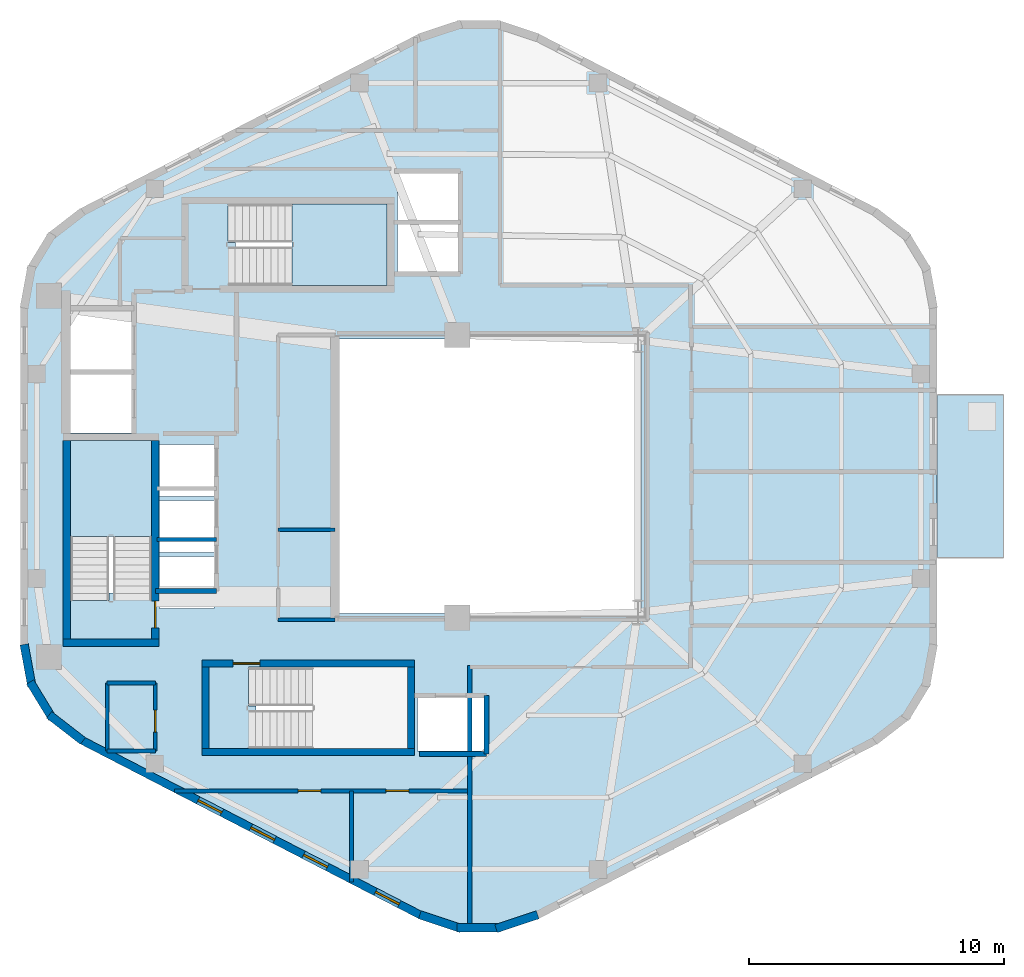
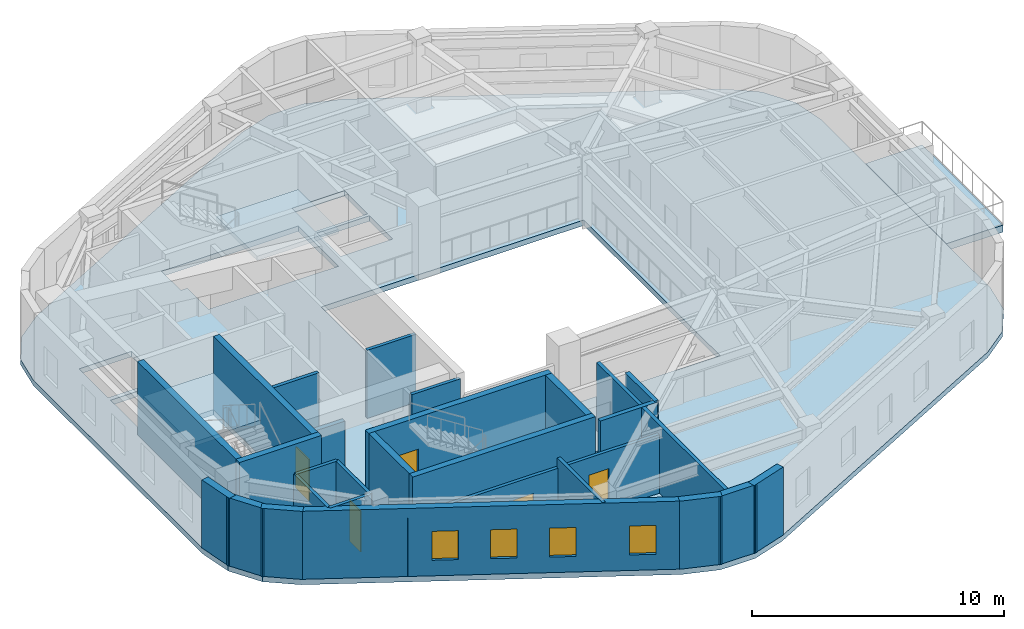
# One storey, part 2 of 7: 27 walls, 5 doors, 4 slabs, 4 windows, 9 openings, 2 elements without a shape of their own.
"""IFC4 building model written with IfcOpenShell, lengths in metres."""

from ifc_helpers import new_model, si_unit, direction, frame, frame_2d, origin, place, context, subcontext, project, spatial, polyline, rectangle, outline, extrude, material, layer, layer_set, type_object, element, fill, aggregate, save


model = new_model("IFC4")

# Units and contexts
model_context = context("Model", 3, precision=1e-05, world=origin(), true_north=direction((0.0, 1.0)))
body_context = subcontext(model_context, "Body", "Model", "MODEL_VIEW")
ifc_project = project(units=[si_unit("LENGTHUNIT", "METRE"), si_unit("AREAUNIT", "SQUARE_METRE"), si_unit("VOLUMEUNIT", "CUBIC_METRE"), si_unit("PLANEANGLEUNIT", "RADIAN"), si_unit("MASSUNIT", "GRAM", prefix="KILO"), si_unit("THERMODYNAMICTEMPERATUREUNIT", "KELVIN"), si_unit("POWERUNIT", "WATT")], contexts=[model_context])

# Site, building, storey
site_placement = place(None, origin())
site = spatial("IfcSite", under=ifc_project, at=site_placement, CompositionType="ELEMENT")
building_placement = place(site_placement, origin())
building = spatial("IfcBuilding", under=site, at=building_placement, Name="Skarre Station Tower", CompositionType="ELEMENT")
storey_placement = place(building_placement, frame((0.0, 0.0, 256.10009765625)))
storey = spatial("IfcBuildingStorey", under=building, at=storey_placement, Name="L70", CompositionType="ELEMENT", Elevation=256.10009765625)

# Slab
ifc_material_1 = material(Name="Precast concrete C50/60", Category="concrete")
ifc_layer_1 = layer(ifc_material_1, 0.340087890625, Name="Precast concrete C50/60")
ifc_layer_set_1 = layer_set([ifc_layer_1], Name="Precast concrete C50/60")
slab_type_1 = type_object("IfcSlabType", Name="Planted Tree-Balcony Cantilever Slab 340", PredefinedType="FLOOR", material=ifc_layer_set_1)
slab_1_placement = place(storey_placement, frame((0.0, 0.0, -0.340087890625)))
element("IfcSlab", 1, at=slab_1_placement, inside=storey, type_object=slab_type_1, Name="L70 Planted Tree-Balcony Deck TB-L70-F5", PredefinedType="FLOOR", context=body_context, shape_type="SweptSolid", body=[
    extrude(outline(polyline([(51.222900390625, 20.800048828125), (51.222900390625, 27.199951171875), (53.81298828125, 27.199951171875), (53.81298828125, 20.800048828125), (51.222900390625, 20.800048828125)])), origin(), (0.0, 0.0, 1.0), 0.340087890625),
])

# Stair, slab
ifc_material_2 = material(Name="Concrete C40/50", Category="concrete")
stair_type_1 = type_object("IfcStairType", Name="Reinforced Concrete Exit Stair ST-1", PredefinedType="HALF_TURN_STAIR", material=ifc_material_2)
stair_1_placement = place(storey_placement, origin())
stair_1 = element("IfcStair", 2, at=stair_1_placement, inside=storey, type_object=stair_type_1, Name="L70 Core Exit Stair ST-1", PredefinedType="HALF_TURN_STAIR")
ifc_layer_2 = layer(ifc_material_2, 0.219970703125, Name="Concrete C40/50")
ifc_layer_set_2 = layer_set([ifc_layer_2], Name="Concrete C40/50")
slab_type_2 = type_object("IfcSlabType", Name="Reinforced Concrete Stair & Ramp Landing 220", PredefinedType="LANDING", material=ifc_layer_set_2)
slab_2_placement = place(storey_placement, frame((0.0, 0.0, 1.574951171875)))
slab_2 = element("IfcSlab", 3, at=slab_2_placement, type_object=slab_type_2, Name="ST-1 landing 1", PredefinedType="LANDING", context=body_context, shape_type="SweptSolid", body=[
    extrude(outline(polyline([(20.35009765625, 21.639892578125), (20.35009765625, 25.39990234375), (17.14990234375, 25.39990234375), (17.14990234375, 21.639892578125), (20.35009765625, 21.639892578125)])), origin(), (0.0, 0.0, 1.0), 0.199951171875),
])
aggregate(stair_1, [slab_2])

stair_type_2 = type_object("IfcStairType", Name="Reinforced Concrete Exit Stair ST-3", PredefinedType="HALF_TURN_STAIR", material=ifc_material_2)
stair_2_placement = place(storey_placement, origin())
stair_2 = element("IfcStair", 4, at=stair_2_placement, inside=storey, type_object=stair_type_2, Name="L70 Core Exit Stair ST-3", PredefinedType="HALF_TURN_STAIR")
slab_3_placement = place(storey_placement, frame((0.0, 0.0, 1.574951171875)))
slab_3 = element("IfcSlab", 5, at=slab_3_placement, type_object=slab_type_2, Name="ST-3 landing 1", PredefinedType="LANDING", context=body_context, shape_type="SweptSolid", body=[
    extrude(outline(polyline([(25.8701171875, 31.5), (29.60009765625, 31.5), (29.60009765625, 34.699951171875), (25.8701171875, 34.699951171875), (25.8701171875, 31.5)])), origin(), (0.0, 0.0, 1.0), 0.199951171875),
])
aggregate(stair_2, [slab_3])

# Slab
ifc_material_3 = material(Name="Concrete C50/60", Category="concrete")
ifc_layer_3 = layer(ifc_material_3, 0.260009765625, Name="Concrete C50/60")
ifc_layer_set_3 = layer_set([ifc_layer_3], Name="Concrete C50/60")
slab_type_3 = type_object("IfcSlabType", Name="Tower Typical Composite Floor Slab 260", PredefinedType="FLOOR", material=ifc_layer_set_3)
slab_4_placement = place(storey_placement, frame((0.0, 0.0, -0.260009765625)))
element("IfcSlab", 6, at=slab_4_placement, inside=storey, type_object=slab_type_3, Name="L70 Zone 4 Structural Floor Slab", PredefinedType="FLOOR", context=body_context, shape_type="SweptSolid", body=[
    extrude(outline(polyline([(51.212890625, 30.701904296875), (50.93310546875, 32.222900390625), (50.1279296875, 33.544921875), (48.905029296875, 34.491943359375), (35.508056640625, 41.407958984375), (33.99609375, 41.906005859375), (32.404052734375, 41.906005859375), (30.89208984375, 41.407958984375), (17.4951171875, 34.491943359375), (16.27197265625, 33.544921875), (15.467041015625, 32.222900390625), (15.18701171875, 30.701904296875), (15.18701171875, 17.298095703125), (15.467041015625, 15.777099609375), (16.27197265625, 14.455078125), (17.4951171875, 13.508056640625), (30.89208984375, 6.592041015625), (32.404052734375, 6.093994140625), (33.99609375, 6.093994140625), (35.508056640625, 6.592041015625), (48.905029296875, 13.508056640625), (50.1279296875, 14.455078125), (50.93310546875, 15.777099609375), (51.212890625, 17.298095703125), (51.212890625, 30.701904296875)]), holes=[polyline([(18.669921875, 19.419921875), (18.669921875, 19.123046875), (17.14990234375, 19.123046875), (17.14990234375, 25.39990234375), (20.35009765625, 25.39990234375), (20.35009765625, 19.419921875), (18.669921875, 19.419921875)]), polyline([(24.449951171875, 14.97998046875), (24.153076171875, 14.97998046875), (24.153076171875, 16.5), (30.39990234375, 16.5), (30.39990234375, 13.300048828125), (24.449951171875, 13.300048828125), (24.449951171875, 14.97998046875)]), polyline([(23.64990234375, 33.179931640625), (23.35302734375, 33.179931640625), (23.35302734375, 34.699951171875), (29.60009765625, 34.699951171875), (29.60009765625, 31.5), (23.64990234375, 31.5), (23.64990234375, 33.179931640625)]), polyline([(17.14990234375, 28.0), (19.550048828125, 28.0), (19.550048828125, 25.699951171875), (17.14990234375, 25.699951171875), (17.14990234375, 28.0)]), polyline([(17.14990234375, 30.5), (19.550048828125, 30.5), (19.550048828125, 28.199951171875), (17.14990234375, 28.199951171875), (17.14990234375, 30.5)]), polyline([(30.800048828125, 15.300048828125), (33.39990234375, 15.300048828125), (33.39990234375, 13.199951171875), (30.800048828125, 13.199951171875), (30.800048828125, 15.300048828125)]), polyline([(20.64990234375, 20.85009765625), (22.800048828125, 20.85009765625), (22.800048828125, 18.800048828125), (20.64990234375, 18.800048828125), (20.64990234375, 20.85009765625)]), polyline([(20.64990234375, 23.050048828125), (22.800048828125, 23.050048828125), (22.800048828125, 21.0), (20.64990234375, 21.0), (20.64990234375, 23.050048828125)]), polyline([(20.64990234375, 25.25), (22.800048828125, 25.25), (22.800048828125, 23.199951171875), (20.64990234375, 23.199951171875), (20.64990234375, 25.25)]), polyline([(30.0, 33.89990234375), (32.39990234375, 33.89990234375), (32.39990234375, 32.050048828125), (30.0, 32.050048828125), (30.0, 33.89990234375)]), polyline([(30.0, 35.89990234375), (32.39990234375, 35.89990234375), (32.39990234375, 34.050048828125), (30.0, 34.050048828125), (30.0, 35.89990234375)]), polyline([(27.60009765625, 29.39990234375), (39.60009765625, 29.39990234375), (39.60009765625, 18.60009765625), (27.60009765625, 18.60009765625), (27.60009765625, 29.39990234375)])]), origin(), (0.0, 0.0, 1.0), 0.260009765625),
])

# Walls
ifc_material_4 = material(Name="Acoustic Steel-Stud Gypsum Partition", Category="steel")
ifc_layer_4 = layer(ifc_material_4, 0.14990234375, Name="Acoustic Steel-Stud Gypsum Partition")
ifc_layer_set_4 = layer_set([ifc_layer_4], Name="Acoustic Steel-Stud Gypsum Partition")
wall_type_1 = type_object("IfcWallType", Name="Fire-Rated Corridor Acoustic Partition 150", PredefinedType="PARTITIONING", material=ifc_layer_set_4)
for number, where, z_axis, x_axis, name in (
    (7, (25.320068359375, 21.89990234375, 0.0), (0.0, 0.0, 1.0), (1.0, 0.0, 0.0), "L70 Interior Partition WL-PT-L70-RC2-M"),
    (8, (25.320068359375, 18.360107421875, 0.0), (0.0, 0.0, 1.0), (1.0, 0.0, 0.0), "L70 Interior Partition WL-PT-L70-RC2-S"),
):
    element("IfcWall", number, at=place(storey_placement, frame(where, z_axis=z_axis, x_axis=x_axis)), inside=storey, type_object=wall_type_1, Name=name, PredefinedType="PARTITIONING", context=body_context, shape_type="SweptSolid", body=[
        extrude(rectangle(XDim=2.22998046875, YDim=0.14990234375, at=frame_2d((1.114990234375, 0.0))), origin(), (0.0, 0.0, 1.0), 3.289794921875),
    ])
wall_1_placement = place(storey_placement, frame((18.60009765625, 15.8798828125, 0.0), z_axis=(0.0, 0.0, 1.0), x_axis=(0.0, -1.0, 0.0)))
element("IfcWall", 9, at=wall_1_placement, inside=storey, type_object=wall_type_1, Name="L70 Interior Partition WL-PT-L70-CSVC-W", PredefinedType="PARTITIONING", context=body_context, shape_type="SweptSolid", body=[
    extrude(rectangle(XDim=2.679931640625, YDim=0.14990234375, at=frame_2d((1.33984375, 0.0))), origin(), (0.0, 0.0, 1.0), 3.289794921875),
])
for number, where, z_axis, x_axis, name in (
    (10, (18.60009765625, 13.199951171875, 0.0), (0.0, 0.0, 1.0), (1.0, 0.0, 0.0), "L70 Interior Partition WL-PT-L70-CSVC-S"),
    (11, (18.60009765625, 15.8798828125, 0.0), (0.0, 0.0, 1.0), (1.0, 0.0, 0.0), "L70 Interior Partition WL-PT-L70-CSVC-N"),
):
    element("IfcWall", number, at=place(storey_placement, frame(where, z_axis=z_axis, x_axis=x_axis)), inside=storey, type_object=wall_type_1, Name=name, PredefinedType="PARTITIONING", context=body_context, shape_type="SweptSolid", body=[
        extrude(rectangle(XDim=1.889892578125, YDim=0.14990234375, at=frame_2d((0.94482421875, 0.0))), origin(), (0.0, 0.0, 1.0), 3.289794921875),
    ])

# Wall, opening, door
wall_2_placement = place(storey_placement, frame((20.489990234375, 13.199951171875, 0.0), z_axis=(0.0, 0.0, 1.0), x_axis=(0.0, 1.0, 0.0)))
wall_2 = element("IfcWall", 12, at=wall_2_placement, inside=storey, type_object=wall_type_1, Name="L70 Interior Partition WL-PT-L70-CSVC-E", PredefinedType="PARTITIONING", context=body_context, shape_type="SweptSolid", body=[
    extrude(rectangle(XDim=2.679931640625, YDim=0.14990234375, at=frame_2d((1.33984375, 0.0))), origin(), (0.0, 0.0, 1.0), 3.289794921875),
])
opening_1_placement = place(wall_2_placement, frame((0.75, 0.0, 0.0)))
opening_1 = element("IfcOpeningElement", 13, at=opening_1_placement, cuts=wall_2, Name="Opening DR-SVC86", PredefinedType="OPENING", context=body_context, shape_type="SweptSolid", body=[
    extrude(rectangle(XDim=0.860107421875, YDim=2.0, at=frame_2d((0.43017578125, 1.0))), frame((0.0, 0.0849609375, 0.0), z_axis=(0.0, -1.0, 0.0), x_axis=(1.0, 0.0, 0.0)), (0.0, 0.0, 1.0), 0.169921875),
])
ifc_material_5 = material(Name="Powder-Coated Hollow-Metal Acoustic Fire Leaf", Category="steel")
door_type_1 = type_object("IfcDoorType", Name="Compact Riser Fire Door FD60 860x2100", OperationType="SINGLE_SWING_LEFT", PredefinedType="DOOR", material=ifc_material_5)
door_1_placement = place(opening_1_placement, origin())
door_1 = element("IfcDoor", 14, at=door_1_placement, inside=storey, type_object=door_type_1, Name="L70 Supply Room Door", OperationType="SINGLE_SWING_LEFT", OverallHeight=2.0, OverallWidth=0.860107421875, PredefinedType="DOOR", context=body_context, shape_type="SweptSolid", body=[
    extrude(rectangle(XDim=0.860107421875, YDim=2.0, at=frame_2d((0.43017578125, 1.0))), frame((0.0, 0.02490234375, 0.0), z_axis=(0.0, -1.0, 0.0), x_axis=(1.0, 0.0, 0.0)), (0.0, 0.0, 1.0), 0.050048828125),
])
fill(opening_1, door_1)

# Wall
wall_3_placement = place(storey_placement, frame((28.199951171875, 8.049072265625, 0.0), z_axis=(0.0, 0.0, 1.0), x_axis=(0.0, 1.0, 0.0)))
element("IfcWall", 15, at=wall_3_placement, inside=storey, type_object=wall_type_1, Name="L70 Interior Partition WL-PT-L70-SWP-M", PredefinedType="PARTITIONING", context=body_context, shape_type="SweptSolid", body=[
    extrude(rectangle(XDim=3.5908203125, YDim=0.14990234375, at=frame_2d((1.79541015625, 0.0))), origin(), (0.0, 0.0, 1.0), 3.289794921875),
])

# Wall, openings, doors
wall_4_placement = place(storey_placement, frame((21.243896484375, 11.639892578125, 0.0), z_axis=(0.0, 0.0, 1.0), x_axis=(1.0, 0.0, 0.0)))
wall_4 = element("IfcWall", 16, at=wall_4_placement, inside=storey, type_object=wall_type_1, Name="L70 Interior Partition WL-PT-L70-SWP-N", PredefinedType="PARTITIONING", context=body_context, shape_type="SweptSolid", body=[
    extrude(rectangle(XDim=11.606201171875, YDim=0.14990234375, at=frame_2d((5.80322265625, 0.0))), origin(), (0.0, 0.0, 1.0), 2.8330078125),
])
opening_2_placement = place(wall_4_placement, frame((4.85595703125, 0.0, 0.0)))
opening_2 = element("IfcOpeningElement", 17, at=opening_2_placement, cuts=wall_4, Name="Opening DR-SVC90", PredefinedType="OPENING", context=body_context, shape_type="SweptSolid", body=[
    extrude(rectangle(XDim=0.89990234375, YDim=2.0, at=frame_2d((0.449951171875, 1.0))), frame((0.0, 0.0849609375, 0.0), z_axis=(0.0, -1.0, 0.0), x_axis=(1.0, 0.0, 0.0)), (0.0, 0.0, 1.0), 0.169921875),
])
opening_3_placement = place(wall_4_placement, frame((8.305908203125, 0.0, 0.0)))
opening_3 = element("IfcOpeningElement", 18, at=opening_3_placement, cuts=wall_4, Name="Opening DR-SVC90", PredefinedType="OPENING", context=body_context, shape_type="SweptSolid", body=[
    extrude(rectangle(XDim=0.89990234375, YDim=2.0, at=frame_2d((0.449951171875, 1.0))), frame((0.0, 0.0849609375, 0.0), z_axis=(0.0, -1.0, 0.0), x_axis=(1.0, 0.0, 0.0)), (0.0, 0.0, 1.0), 0.169921875),
])
door_type_2 = type_object("IfcDoorType", Name="Service & Riser Fire Door FD60 900x2100", OperationType="SINGLE_SWING_LEFT", PredefinedType="DOOR", material=ifc_material_5)
door_2_placement = place(opening_2_placement, origin())
door_2 = element("IfcDoor", 19, at=door_2_placement, inside=storey, type_object=door_type_2, Name="L70 Floor Public Toilets Door", OperationType="SINGLE_SWING_LEFT", OverallHeight=2.0, OverallWidth=0.89990234375, PredefinedType="DOOR", context=body_context, shape_type="SweptSolid", body=[
    extrude(rectangle(XDim=0.89990234375, YDim=2.0, at=frame_2d((0.449951171875, 1.0))), frame((0.0, 0.02490234375, 0.0), z_axis=(0.0, -1.0, 0.0), x_axis=(1.0, 0.0, 0.0)), (0.0, 0.0, 1.0), 0.050048828125),
])
fill(opening_2, door_2)
door_3_placement = place(opening_3_placement, origin())
door_3 = element("IfcDoor", 20, at=door_3_placement, inside=storey, type_object=door_type_2, Name="L70 South-West Study Door", OperationType="SINGLE_SWING_LEFT", OverallHeight=2.0, OverallWidth=0.89990234375, PredefinedType="DOOR", context=body_context, shape_type="SweptSolid", body=[
    extrude(rectangle(XDim=0.89990234375, YDim=2.0, at=frame_2d((0.449951171875, 1.0))), frame((0.0, 0.02490234375, 0.0), z_axis=(0.0, -1.0, 0.0), x_axis=(1.0, 0.0, 0.0)), (0.0, 0.0, 1.0), 0.050048828125),
])
fill(opening_3, door_3)

# Walls
ifc_material_6 = material(Name="Precast concrete C45/55", Category="concrete")
ifc_layer_5 = layer(ifc_material_6, 0.330078125, Name="Precast concrete C45/55")
ifc_layer_set_5 = layer_set([ifc_layer_5], Name="Precast concrete C45/55")
wall_type_2 = type_object("IfcWallType", Name="Nordic Rounded Corner Precast Wall 330", PredefinedType="STANDARD", material=ifc_layer_set_5)
wall_5_placement = place(storey_placement, frame((17.64697265625, 13.59912109375, 0.0), z_axis=(0.0, 0.0, 1.0), x_axis=(-0.790691856293, 0.61221433207, 0.0)))
element("IfcWall", 21, at=wall_5_placement, inside=storey, type_object=wall_type_2, Name="L70 Rounded Corner Precast Wall F3-1", PredefinedType="STANDARD", context=body_context, shape_type="SweptSolid", body=[
    extrude(rectangle(XDim=1.67578125, YDim=0.330078125, at=frame_2d((0.837890625, 0.0))), origin(), (0.0, 0.0, 1.0), 3.289794921875),
])
wall_6_placement = place(storey_placement, frame((16.447021484375, 14.485107421875, 0.0), z_axis=(0.0, 0.0, 1.0), x_axis=(-0.520325409202, 0.853968072318, 0.0)))
element("IfcWall", 22, at=wall_6_placement, inside=storey, type_object=wall_type_2, Name="L70 Rounded Corner Precast Wall F3-2", PredefinedType="STANDARD", context=body_context, shape_type="SweptSolid", body=[
    extrude(rectangle(XDim=1.677978515625, YDim=0.330078125, at=frame_2d((0.8388671875, 0.0))), origin(), (0.0, 0.0, 1.0), 3.289794921875),
])
wall_7_placement = place(storey_placement, frame((15.64111328125, 15.742919921875, 0.0), z_axis=(0.0, 0.0, 1.0), x_axis=(-0.180832605401, 0.983513888475, 0.0)))
element("IfcWall", 23, at=wall_7_placement, inside=storey, type_object=wall_type_2, Name="L70 Rounded Corner Precast Wall F3-3", PredefinedType="STANDARD", context=body_context, shape_type="SweptSolid", body=[
    extrude(rectangle(XDim=1.6767578125, YDim=0.330078125, at=frame_2d((0.83837890625, 0.0))), origin(), (0.0, 0.0, 1.0), 3.289794921875),
])
wall_8_placement = place(storey_placement, frame((35.51806640625, 6.76904296875, 0.0), z_axis=(0.0, 0.0, 1.0), x_axis=(-0.949713440491, -0.313120393699, 0.0)))
element("IfcWall", 24, at=wall_8_placement, inside=storey, type_object=wall_type_2, Name="L70 Rounded Corner Precast Wall F4-1", PredefinedType="STANDARD", context=body_context, shape_type="SweptSolid", body=[
    extrude(rectangle(XDim=1.7216796875, YDim=0.330078125, at=frame_2d((0.86083984375, 0.0))), origin(), (0.0, 0.0, 1.0), 3.289794921875),
])
wall_9_placement = place(storey_placement, frame((34.06103515625, 6.259033203125, 0.0), z_axis=(0.0, 0.0, 1.0), x_axis=(-1.0, 0.0, 0.0)))
element("IfcWall", 25, at=wall_9_placement, inside=storey, type_object=wall_type_2, Name="L70 Rounded Corner Precast Wall F4-2", PredefinedType="STANDARD", context=body_context, shape_type="SweptSolid", body=[
    extrude(rectangle(XDim=1.721923828125, YDim=0.330078125, at=frame_2d((0.86083984375, 0.0))), origin(), (0.0, 0.0, 1.0), 3.289794921875),
])
wall_10_placement = place(storey_placement, frame((32.51708984375, 6.22998046875, 0.0), z_axis=(0.0, 0.0, 1.0), x_axis=(-0.949713440491, 0.313120393699, 0.0)))
element("IfcWall", 26, at=wall_10_placement, inside=storey, type_object=wall_type_2, Name="L70 Rounded Corner Precast Wall F4-3", PredefinedType="STANDARD", context=body_context, shape_type="SweptSolid", body=[
    extrude(rectangle(XDim=1.7216796875, YDim=0.330078125, at=frame_2d((0.86083984375, 0.0))), origin(), (0.0, 0.0, 1.0), 3.289794921875),
])

# Wall, openings, windows
ifc_layer_6 = layer(ifc_material_6, 0.31005859375, Name="Precast concrete C45/55")
ifc_layer_set_6 = layer_set([ifc_layer_6], Name="Precast concrete C45/55")
wall_type_3 = type_object("IfcWallType", Name="Nordic Upper-Zone Precast Facet Wall 310", PredefinedType="STANDARD", material=ifc_layer_set_6)
wall_11_placement = place(storey_placement, frame((30.962890625, 6.72998046875, 0.0), z_axis=(0.0, 0.0, 1.0), x_axis=(-0.888581481622, 0.458718814218, 0.0)))
wall_11 = element("IfcWall", 27, at=wall_11_placement, inside=storey, type_object=wall_type_3, Name="L70 Facet 3 Nordic Precast Masonry Wall", PredefinedType="STANDARD", context=body_context, shape_type="SweptSolid", body=[
    extrude(rectangle(XDim=15.076904296875, YDim=0.31005859375, at=frame_2d((7.53857421875, 0.0))), origin(), (0.0, 0.0, 1.0), 3.289794921875),
])
opening_4_placement = place(wall_11_placement, frame((0.998046875, 0.0, 0.75)))
opening_4 = element("IfcOpeningElement", 28, at=opening_4_placement, cuts=wall_11, Name="Opening WN-SLT", PredefinedType="OPENING", context=body_context, shape_type="SweptSolid", body=[
    extrude(rectangle(XDim=1.050048828125, YDim=1.39990234375, at=frame_2d((0.52490234375, 0.699951171875))), frame((0.0, 0.1650390625, 0.0), z_axis=(0.0, -1.0, 0.0), x_axis=(1.0, 0.0, 0.0)), (0.0, 0.0, 1.0), 0.330078125),
])
opening_5_placement = place(wall_11_placement, frame((4.176025390625, 0.0, 0.75)))
opening_5 = element("IfcOpeningElement", 29, at=opening_5_placement, cuts=wall_11, Name="Opening WN-SLT", PredefinedType="OPENING", context=body_context, shape_type="SweptSolid", body=[
    extrude(rectangle(XDim=1.050048828125, YDim=1.39990234375, at=frame_2d((0.52490234375, 0.699951171875))), frame((0.0, 0.1650390625, 0.0), z_axis=(0.0, -1.0, 0.0), x_axis=(1.0, 0.0, 0.0)), (0.0, 0.0, 1.0), 0.330078125),
])
opening_6_placement = place(wall_11_placement, frame((6.509033203125, 0.0, 0.75)))
opening_6 = element("IfcOpeningElement", 30, at=opening_6_placement, cuts=wall_11, Name="Opening WN-SLT", PredefinedType="OPENING", context=body_context, shape_type="SweptSolid", body=[
    extrude(rectangle(XDim=1.050048828125, YDim=1.39990234375, at=frame_2d((0.52490234375, 0.699951171875))), frame((0.0, 0.1650390625, 0.0), z_axis=(0.0, -1.0, 0.0), x_axis=(1.0, 0.0, 0.0)), (0.0, 0.0, 1.0), 0.330078125),
])
opening_7_placement = place(wall_11_placement, frame((8.842041015625, 0.0, 0.75)))
opening_7 = element("IfcOpeningElement", 31, at=opening_7_placement, cuts=wall_11, Name="Opening WN-SLT", PredefinedType="OPENING", context=body_context, shape_type="SweptSolid", body=[
    extrude(rectangle(XDim=1.050048828125, YDim=1.39990234375, at=frame_2d((0.52490234375, 0.699951171875))), frame((0.0, 0.1650390625, 0.0), z_axis=(0.0, -1.0, 0.0), x_axis=(1.0, 0.0, 0.0)), (0.0, 0.0, 1.0), 0.330078125),
])
ifc_material_7 = material(Name="Low-Iron Triple Glazing with Bronze Anodized Frame", Category="glass")
window_type = type_object("IfcWindowType", Name="Nordic Corner Slot Window 1050x1400", PartitioningType="SINGLE_PANEL", PredefinedType="WINDOW", material=ifc_material_7)
window_1_placement = place(opening_4_placement, origin())
window_1 = element("IfcWindow", 32, at=window_1_placement, inside=storey, type_object=window_type, Name="L70 Facade Window WL-FAC-L70-F3-1", OverallHeight=1.39990234375, OverallWidth=1.050048828125, PartitioningType="SINGLE_PANEL", PredefinedType="WINDOW", context=body_context, shape_type="SweptSolid", body=[
    extrude(rectangle(XDim=1.050048828125, YDim=1.39990234375, at=frame_2d((0.52490234375, 0.699951171875))), frame((0.0, 0.030029296875, 0.0), z_axis=(0.0, -1.0, 0.0), x_axis=(1.0, 0.0, 0.0)), (0.0, 0.0, 1.0), 0.06005859375),
])
fill(opening_4, window_1)
window_2_placement = place(opening_5_placement, origin())
window_2 = element("IfcWindow", 33, at=window_2_placement, inside=storey, type_object=window_type, Name="L70 Facade Window WL-FAC-L70-F3-2", OverallHeight=1.39990234375, OverallWidth=1.050048828125, PartitioningType="SINGLE_PANEL", PredefinedType="WINDOW", context=body_context, shape_type="SweptSolid", body=[
    extrude(rectangle(XDim=1.050048828125, YDim=1.39990234375, at=frame_2d((0.52490234375, 0.699951171875))), frame((0.0, 0.030029296875, 0.0), z_axis=(0.0, -1.0, 0.0), x_axis=(1.0, 0.0, 0.0)), (0.0, 0.0, 1.0), 0.06005859375),
])
fill(opening_5, window_2)
window_3_placement = place(opening_6_placement, origin())
window_3 = element("IfcWindow", 34, at=window_3_placement, inside=storey, type_object=window_type, Name="L70 Facade Window WL-FAC-L70-F3-3", OverallHeight=1.39990234375, OverallWidth=1.050048828125, PartitioningType="SINGLE_PANEL", PredefinedType="WINDOW", context=body_context, shape_type="SweptSolid", body=[
    extrude(rectangle(XDim=1.050048828125, YDim=1.39990234375, at=frame_2d((0.52490234375, 0.699951171875))), frame((0.0, 0.030029296875, 0.0), z_axis=(0.0, -1.0, 0.0), x_axis=(1.0, 0.0, 0.0)), (0.0, 0.0, 1.0), 0.06005859375),
])
fill(opening_6, window_3)
window_4_placement = place(opening_7_placement, origin())
window_4 = element("IfcWindow", 35, at=window_4_placement, inside=storey, type_object=window_type, Name="L70 Facade Window WL-FAC-L70-F3-4", OverallHeight=1.39990234375, OverallWidth=1.050048828125, PartitioningType="SINGLE_PANEL", PredefinedType="WINDOW", context=body_context, shape_type="SweptSolid", body=[
    extrude(rectangle(XDim=1.050048828125, YDim=1.39990234375, at=frame_2d((0.52490234375, 0.699951171875))), frame((0.0, 0.030029296875, 0.0), z_axis=(0.0, -1.0, 0.0), x_axis=(1.0, 0.0, 0.0)), (0.0, 0.0, 1.0), 0.06005859375),
])
fill(opening_7, window_4)

# Walls
ifc_layer_7 = layer(ifc_material_3, 0.280029296875, Name="Concrete C50/60")
ifc_layer_set_7 = layer_set([ifc_layer_7], Name="Concrete C50/60")
wall_type_4 = type_object("IfcWallType", Name="RC Core Shear Wall 280", PredefinedType="SHEAR", material=ifc_layer_set_7)
wall_12_placement = place(storey_placement, frame((16.8701171875, 17.4599609375, 0.0), z_axis=(0.0, 0.0, 1.0), x_axis=(1.0, 0.0, 0.0)))
element("IfcWall", 36, at=wall_12_placement, inside=storey, type_object=wall_type_4, Name="L70 Stair ST-1 South Shear Wall", PredefinedType="SHEAR", context=body_context, shape_type="SweptSolid", body=[
    extrude(rectangle(XDim=3.759765625, YDim=0.280029296875, at=frame_2d((1.8798828125, 0.0))), origin(), (0.0, 0.0, 1.0), 3.5498046875),
])
wall_13_placement = place(storey_placement, frame((17.010009765625, 25.39990234375, 0.0), z_axis=(0.0, 0.0, 1.0), x_axis=(0.0, -1.0, 0.0)))
element("IfcWall", 37, at=wall_13_placement, inside=storey, type_object=wall_type_4, Name="L70 Stair ST-1 West Shear Wall", PredefinedType="SHEAR", context=body_context, shape_type="SweptSolid", body=[
    extrude(rectangle(XDim=7.7998046875, YDim=0.280029296875, at=frame_2d((3.89990234375, 0.0))), origin(), (0.0, 0.0, 1.0), 3.5498046875),
])

# Wall, opening, door
wall_14_placement = place(storey_placement, frame((20.489990234375, 17.60009765625, 0.0), z_axis=(0.0, 0.0, 1.0), x_axis=(0.0, 1.0, 0.0)))
wall_14 = element("IfcWall", 38, at=wall_14_placement, inside=storey, type_object=wall_type_4, Name="L70 Stair ST-1 East Shear Wall", PredefinedType="SHEAR", context=body_context, shape_type="SweptSolid", body=[
    extrude(rectangle(XDim=7.7998046875, YDim=0.280029296875, at=frame_2d((3.89990234375, 0.0))), origin(), (0.0, 0.0, 1.0), 3.5498046875),
])
opening_8_placement = place(wall_14_placement, frame((0.43994140625, 0.0, 0.0)))
opening_8 = element("IfcOpeningElement", 39, at=opening_8_placement, cuts=wall_14, Name="Opening DR-FD90", PredefinedType="OPENING", context=body_context, shape_type="SweptSolid", body=[
    extrude(rectangle(XDim=1.050048828125, YDim=2.0, at=frame_2d((0.52490234375, 1.0))), frame((0.0, 0.14990234375, 0.0), z_axis=(0.0, -1.0, 0.0), x_axis=(1.0, 0.0, 0.0)), (0.0, 0.0, 1.0), 0.300048828125),
])
ifc_material_8 = material(Name="Fire-Rated Insulated Steel Frame & Timber Core Leaf", Category="steel")
door_type_3 = type_object("IfcDoorType", Name="Stair & FSAE Lobby Fire Door FD90 1050x2150", OperationType="SINGLE_SWING_RIGHT", PredefinedType="DOOR", material=ifc_material_8)
door_4_placement = place(opening_8_placement, origin())
door_4 = element("IfcDoor", 40, at=door_4_placement, inside=storey, type_object=door_type_3, Name="L70 Stair ST-1 Exit Door", OperationType="SINGLE_SWING_RIGHT", OverallHeight=2.0, OverallWidth=1.050048828125, PredefinedType="DOOR", context=body_context, shape_type="SweptSolid", body=[
    extrude(rectangle(XDim=1.050048828125, YDim=2.0, at=frame_2d((0.52490234375, 1.0))), frame((0.0, 0.02490234375, 0.0), z_axis=(0.0, -1.0, 0.0), x_axis=(1.0, 0.0, 0.0)), (0.0, 0.0, 1.0), 0.050048828125),
])
fill(opening_8, door_4)

# Wall
wall_15_placement = place(storey_placement, frame((22.320068359375, 13.159912109375, 0.0), z_axis=(0.0, 0.0, 1.0), x_axis=(1.0, 0.0, 0.0)))
element("IfcWall", 41, at=wall_15_placement, inside=storey, type_object=wall_type_4, Name="L70 Stair ST-2 South Shear Wall", PredefinedType="SHEAR", context=body_context, shape_type="SweptSolid", body=[
    extrude(rectangle(XDim=8.35986328125, YDim=0.280029296875, at=frame_2d((4.179931640625, 0.0))), origin(), (0.0, 0.0, 1.0), 3.5498046875),
])

# Wall, opening, door
wall_16_placement = place(storey_placement, frame((30.679931640625, 16.639892578125, 0.0), z_axis=(0.0, 0.0, 1.0), x_axis=(-1.0, 0.0, 0.0)))
wall_16 = element("IfcWall", 42, at=wall_16_placement, inside=storey, type_object=wall_type_4, Name="L70 Stair ST-2 North Shear Wall", PredefinedType="SHEAR", context=body_context, shape_type="SweptSolid", body=[
    extrude(rectangle(XDim=8.35986328125, YDim=0.280029296875, at=frame_2d((4.179931640625, 0.0))), origin(), (0.0, 0.0, 1.0), 3.5498046875),
])
opening_9_placement = place(wall_16_placement, frame((6.080078125, 0.0, 0.0)))
opening_9 = element("IfcOpeningElement", 43, at=opening_9_placement, cuts=wall_16, Name="Opening DR-FD90", PredefinedType="OPENING", context=body_context, shape_type="SweptSolid", body=[
    extrude(rectangle(XDim=1.050048828125, YDim=2.0, at=frame_2d((0.52490234375, 1.0))), frame((0.0, 0.14990234375, 0.0), z_axis=(0.0, -1.0, 0.0), x_axis=(1.0, 0.0, 0.0)), (0.0, 0.0, 1.0), 0.300048828125),
])
door_5_placement = place(opening_9_placement, origin())
door_5 = element("IfcDoor", 44, at=door_5_placement, inside=storey, type_object=door_type_3, Name="L70 Stair ST-2 Exit Door", OperationType="SINGLE_SWING_RIGHT", OverallHeight=2.0, OverallWidth=1.050048828125, PredefinedType="DOOR", context=body_context, shape_type="SweptSolid", body=[
    extrude(rectangle(XDim=1.050048828125, YDim=2.0, at=frame_2d((0.52490234375, 1.0))), frame((0.0, 0.02490234375, 0.0), z_axis=(0.0, -1.0, 0.0), x_axis=(1.0, 0.0, 0.0)), (0.0, 0.0, 1.0), 0.050048828125),
])
fill(opening_9, door_5)

# Walls
for number, where, z_axis, x_axis, name in (
    (45, (22.4599609375, 16.5, 0.0), (0.0, 0.0, 1.0), (0.0, -1.0, 0.0), "L70 Stair ST-2 West Shear Wall"),
    (46, (30.5400390625, 13.300048828125, 0.0), (0.0, 0.0, 1.0), (0.0, 1.0, 0.0), "L70 Stair ST-2 East Shear Wall"),
):
    element("IfcWall", number, at=place(storey_placement, frame(where, z_axis=z_axis, x_axis=x_axis)), inside=storey, type_object=wall_type_4, Name=name, PredefinedType="SHEAR", context=body_context, shape_type="SweptSolid", body=[
        extrude(rectangle(XDim=3.199951171875, YDim=0.280029296875, at=frame_2d((1.60009765625, 0.0))), origin(), (0.0, 0.0, 1.0), 3.5498046875),
    ])
ifc_material_9 = material(Name="Gypsum Concrete Shaft Assembly C30/37", Category="concrete")
ifc_layer_8 = layer(ifc_material_9, 0.199951171875, Name="Gypsum Concrete Shaft Assembly C30/37")
ifc_layer_set_8 = layer_set([ifc_layer_8], Name="Gypsum Concrete Shaft Assembly C30/37")
wall_type_5 = type_object("IfcWallType", Name="Shaft & Core Fire Partition 200", PredefinedType="PARTITIONING", material=ifc_layer_set_8)
wall_17_placement = place(storey_placement, frame((33.5, 13.080078125, 0.0), z_axis=(0.0, 0.0, 1.0), x_axis=(0.0, 1.0, 0.0)))
element("IfcWall", 47, at=wall_17_placement, inside=storey, type_object=wall_type_5, Name="L70 Interior Partition WL-PT-L70-SV1-E", PredefinedType="PARTITIONING", context=body_context, shape_type="SweptSolid", body=[
    extrude(rectangle(XDim=2.2998046875, YDim=0.199951171875, at=frame_2d((1.14990234375, 0.0))), origin(), (0.0, 0.0, 1.0), 3.289794921875),
])
wall_18_placement = place(storey_placement, frame((30.87890625, 13.080078125, 0.0), z_axis=(0.0, 0.0, 1.0), x_axis=(1.0, 0.0, 0.0)))
element("IfcWall", 48, at=wall_18_placement, inside=storey, type_object=wall_type_5, Name="L70 Interior Partition WL-PT-L70-SV1-S", PredefinedType="PARTITIONING", context=body_context, shape_type="SweptSolid", body=[
    extrude(rectangle(XDim=2.62109375, YDim=0.199951171875, at=frame_2d((1.310546875, 0.0))), origin(), (0.0, 0.0, 1.0), 3.289794921875),
])
wall_19_placement = place(storey_placement, frame((20.489990234375, 19.5, 0.0), z_axis=(0.0, 0.0, 1.0), x_axis=(1.0, 0.0, 0.0)))
element("IfcWall", 49, at=wall_19_placement, inside=storey, type_object=wall_type_5, Name="L70 Interior Partition WL-PT-L70-B3-S", PredefinedType="PARTITIONING", context=body_context, shape_type="SweptSolid", body=[
    extrude(rectangle(XDim=2.409912109375, YDim=0.199951171875, at=frame_2d((1.205078125, 0.0))), origin(), (0.0, 0.0, 1.0), 2.18994140625),
])
wall_20_placement = place(storey_placement, frame((20.550048828125, 21.52001953125, 0.0), z_axis=(0.0, 0.0, 1.0), x_axis=(1.0, 0.0, 0.0)))
element("IfcWall", 50, at=wall_20_placement, inside=storey, type_object=wall_type_5, Name="L70 Interior Partition WL-PT-L70-B3-D1", PredefinedType="PARTITIONING", context=body_context, shape_type="SweptSolid", body=[
    extrude(rectangle(XDim=2.349853515625, YDim=0.159912109375, at=frame_2d((1.1748046875, 0.0))), origin(), (0.0, 0.0, 1.0), 3.289794921875),
])
ifc_layer_9 = layer(ifc_material_4, 0.1650390625, Name="Acoustic Steel-Stud Gypsum Partition")
ifc_layer_set_9 = layer_set([ifc_layer_9], Name="Acoustic Steel-Stud Gypsum Partition")
wall_type_6 = type_object("IfcWallType", Name="Suite Demising Acoustic Partition 165", PredefinedType="PARTITIONING", material=ifc_layer_set_9)
wall_21_placement = place(storey_placement, frame((32.85009765625, 6.154052734375, 0.0), z_axis=(0.0, 0.0, 1.0), x_axis=(0.0, 1.0, 0.0)))
element("IfcWall", 51, at=wall_21_placement, inside=storey, type_object=wall_type_6, Name="L70 Interior Partition WL-PT-L70-SWP-E", PredefinedType="PARTITIONING", context=body_context, shape_type="SweptSolid", body=[
    extrude(rectangle(XDim=10.416015625, YDim=0.1650390625, at=frame_2d((5.2080078125, 0.0))), origin(), (0.0, 0.0, 1.0), 3.289794921875),
])

save(model, "model.ifc")
